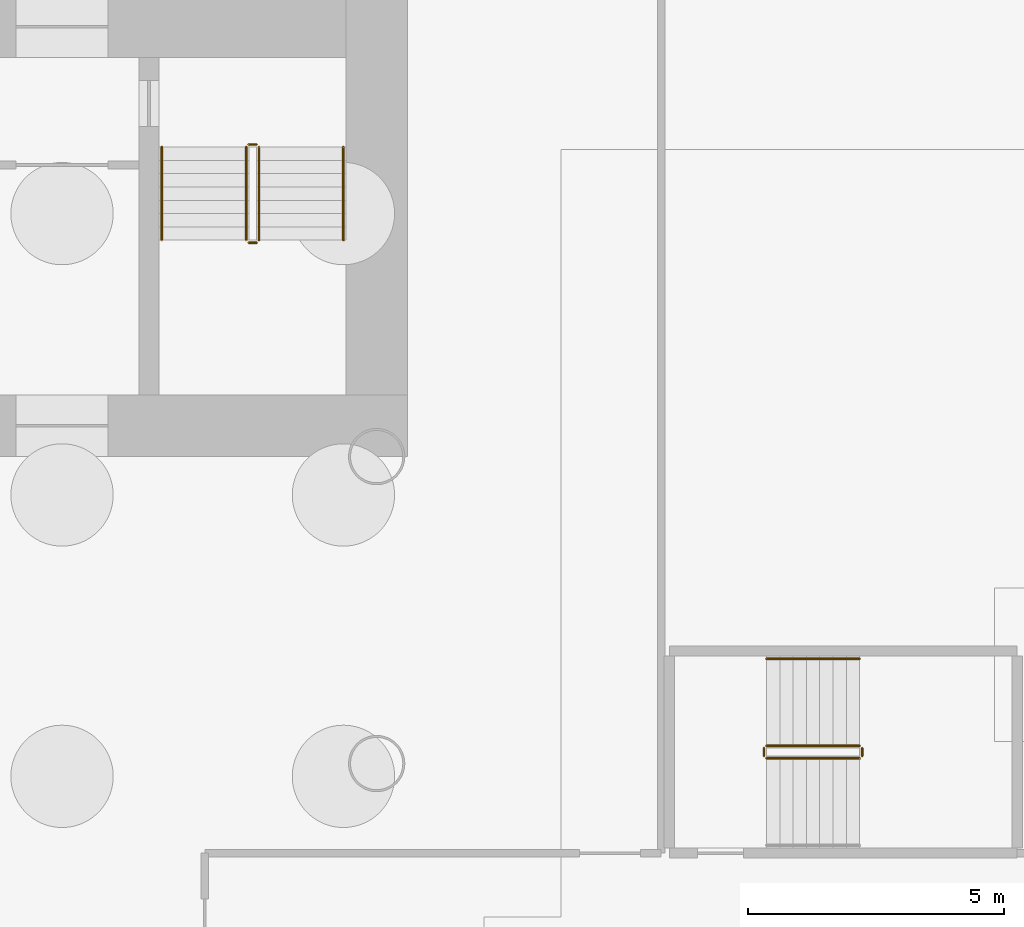
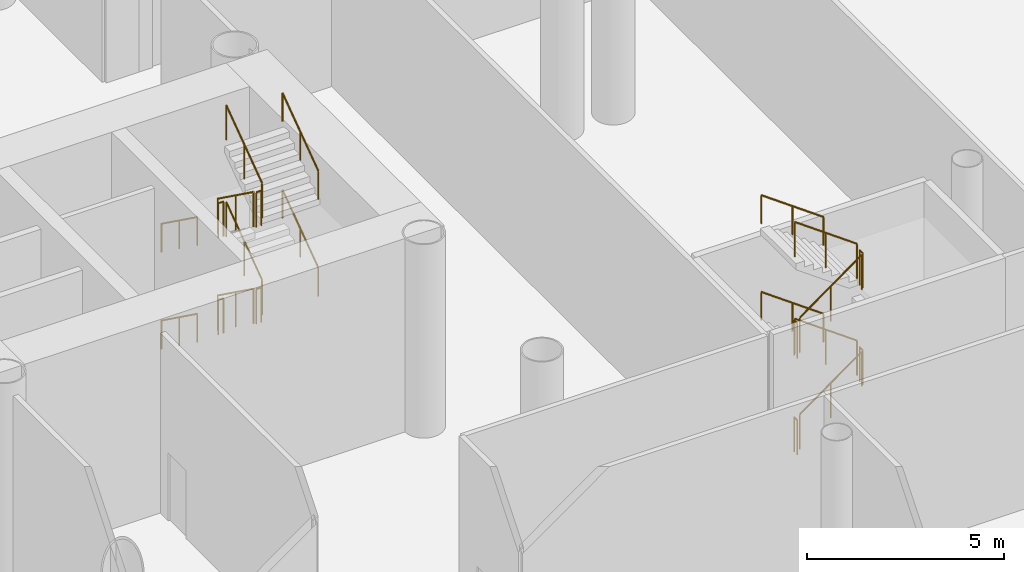
# One storey, part 69 of 75: 22 railings.
"""IFC4 building model written with IfcOpenShell, lengths in metres."""

from ifc_helpers import new_model, si_unit, direction, frame, origin, origin_2d, place, context, subcontext, project, spatial, circle, extrude, material, type_object, element, save


model = new_model("IFC4")

# Units and contexts
model_context = context("Model", 3, precision=1e-05, world=origin(), true_north=direction((0.0, 1.0)))
body_context = subcontext(model_context, "Body", "Model", "MODEL_VIEW")
ifc_project = project(units=[si_unit("LENGTHUNIT", "METRE"), si_unit("AREAUNIT", "SQUARE_METRE"), si_unit("VOLUMEUNIT", "CUBIC_METRE"), si_unit("PLANEANGLEUNIT", "RADIAN"), si_unit("MASSUNIT", "GRAM", prefix="KILO")], contexts=[model_context])

# Site, building, storey
site_placement = place(None, origin())
site = spatial("IfcSite", under=ifc_project, at=site_placement, CompositionType="ELEMENT")
building_placement = place(site_placement, origin())
building = spatial("IfcBuilding", under=site, at=building_placement, Name="Ipe Terrace Towers", CompositionType="ELEMENT")
storey_placement = place(building_placement, origin())
storey = spatial("IfcBuildingStorey", under=building, at=storey_placement, Name="L00", CompositionType="ELEMENT", Elevation=0.0)

# Railings
ifc_material_1 = material(Name="Steel S355", Category="steel")
railing_type_1 = type_object("IfcRailingType", Name="Stair guard 1100", PredefinedType="GUARDRAIL", material=ifc_material_1)
railing_1_placement = place(storey_placement, frame((39.60009765625, -9.699951171875, 0.1875)))
element("IfcRailing", 1, at=railing_1_placement, inside=storey, type_object=railing_type_1, Name="L00 T2-ST2 stair guard 1", PredefinedType="GUARDRAIL", context=body_context, shape_type="SweptSolid", body=[
    extrude(circle(Radius=0.02392578125, at=origin_2d()), frame((0.0, 0.0, 1.076171875), z_axis=(0.0, -0.811100754333, 0.584906459462), x_axis=(1.0, 0.0, 0.0)), (0.0, 0.0, 1.0), 2.243896484375),
    extrude(circle(Radius=0.02099609375, at=origin_2d()), origin(), (0.0, 0.0, 1.0), 1.052001953125),
    extrude(circle(Radius=0.02099609375, at=origin_2d()), frame((0.0, -0.91015625, 0.65625)), (0.0, 0.0, 1.0), 1.052001953125),
    extrude(circle(Radius=0.02099609375, at=origin_2d()), frame((0.0, -1.820068359375, 1.3125)), (0.0, 0.0, 1.0), 1.052001953125),
])
railing_2_placement = place(storey_placement, frame((39.64990234375, -11.570068359375, 1.5)))
element("IfcRailing", 2, at=railing_2_placement, inside=storey, type_object=railing_type_1, Name="L00 T2-ST2 stair guard 2", PredefinedType="GUARDRAIL", context=body_context, shape_type="SweptSolid", body=[
    extrude(circle(Radius=0.02392578125, at=origin_2d()), frame((0.0, 0.0, 1.076171875), z_axis=(1.0, 0.0, 0.0), x_axis=(0.0, 1.0, 0.0)), (0.0, 0.0, 1.0), 0.150146484375),
    extrude(circle(Radius=0.02099609375, at=origin_2d()), origin(), (0.0, 0.0, 1.0), 1.052001953125),
    extrude(circle(Radius=0.02099609375, at=origin_2d()), frame((0.150146484375, 0.0, 0.0)), (0.0, 0.0, 1.0), 1.052001953125),
])
railing_3_placement = place(storey_placement, frame((39.85009765625, -11.52001953125, 1.6875)))
element("IfcRailing", 3, at=railing_3_placement, inside=storey, type_object=railing_type_1, Name="L00 T2-ST2 stair guard 3", PredefinedType="GUARDRAIL", context=body_context, shape_type="SweptSolid", body=[
    extrude(circle(Radius=0.02392578125, at=origin_2d()), frame((0.0, 0.0, 1.076171875), z_axis=(0.0, 0.811100754333, 0.584906459462), x_axis=(-1.0, 0.0, 0.0)), (0.0, 0.0, 1.0), 2.243896484375),
    extrude(circle(Radius=0.02099609375, at=origin_2d()), origin(), (0.0, 0.0, 1.0), 1.052001953125),
    extrude(circle(Radius=0.02099609375, at=origin_2d()), frame((0.0, 0.91015625, 0.65625)), (0.0, 0.0, 1.0), 1.052001953125),
    extrude(circle(Radius=0.02099609375, at=origin_2d()), frame((0.0, 1.820068359375, 1.3125)), (0.0, 0.0, 1.0), 1.052001953125),
])
railing_4_placement = place(storey_placement, frame((39.64990234375, -9.64990234375, 3.0)))
element("IfcRailing", 4, at=railing_4_placement, inside=storey, type_object=railing_type_1, Name="L00 T2-ST2 stair guard 4", PredefinedType="GUARDRAIL", context=body_context, shape_type="SweptSolid", body=[
    extrude(circle(Radius=0.02392578125, at=origin_2d()), frame((0.0, 0.0, 1.076171875), z_axis=(1.0, 0.0, 0.0), x_axis=(0.0, 1.0, 0.0)), (0.0, 0.0, 1.0), 0.150146484375),
    extrude(circle(Radius=0.02099609375, at=origin_2d()), origin(), (0.0, 0.0, 1.0), 1.052001953125),
    extrude(circle(Radius=0.02099609375, at=origin_2d()), frame((0.150146484375, 0.0, 0.0)), (0.0, 0.0, 1.0), 1.052001953125),
])
railing_5_placement = place(storey_placement, frame((39.60009765625, -9.699951171875, 3.1875)))
element("IfcRailing", 5, at=railing_5_placement, inside=storey, type_object=railing_type_1, Name="L00 T2-ST2 stair guard 5", PredefinedType="GUARDRAIL", context=body_context, shape_type="SweptSolid", body=[
    extrude(circle(Radius=0.02392578125, at=origin_2d()), frame((0.0, 0.0, 1.076171875), z_axis=(0.0, -0.811100754333, 0.584906459462), x_axis=(1.0, 0.0, 0.0)), (0.0, 0.0, 1.0), 2.243896484375),
    extrude(circle(Radius=0.02099609375, at=origin_2d()), origin(), (0.0, 0.0, 1.0), 1.052001953125),
    extrude(circle(Radius=0.02099609375, at=origin_2d()), frame((0.0, -0.91015625, 0.65625)), (0.0, 0.0, 1.0), 1.052001953125),
    extrude(circle(Radius=0.02099609375, at=origin_2d()), frame((0.0, -1.820068359375, 1.3125)), (0.0, 0.0, 1.0), 1.052001953125),
])
railing_6_placement = place(storey_placement, frame((39.64990234375, -11.570068359375, 4.5)))
element("IfcRailing", 6, at=railing_6_placement, inside=storey, type_object=railing_type_1, Name="L00 T2-ST2 stair guard 6", PredefinedType="GUARDRAIL", context=body_context, shape_type="SweptSolid", body=[
    extrude(circle(Radius=0.02392578125, at=origin_2d()), frame((0.0, 0.0, 1.076171875), z_axis=(1.0, 0.0, 0.0), x_axis=(0.0, 1.0, 0.0)), (0.0, 0.0, 1.0), 0.150146484375),
    extrude(circle(Radius=0.02099609375, at=origin_2d()), origin(), (0.0, 0.0, 1.0), 1.052001953125),
    extrude(circle(Radius=0.02099609375, at=origin_2d()), frame((0.150146484375, 0.0, 0.0)), (0.0, 0.0, 1.0), 1.052001953125),
])
railing_7_placement = place(storey_placement, frame((39.85009765625, -11.52001953125, 4.6875)))
element("IfcRailing", 7, at=railing_7_placement, inside=storey, type_object=railing_type_1, Name="L00 T2-ST2 stair guard 7", PredefinedType="GUARDRAIL", context=body_context, shape_type="SweptSolid", body=[
    extrude(circle(Radius=0.02392578125, at=origin_2d()), frame((0.0, 0.0, 1.076171875), z_axis=(0.0, 0.811100754333, 0.584906459462), x_axis=(-1.0, 0.0, 0.0)), (0.0, 0.0, 1.0), 2.243896484375),
    extrude(circle(Radius=0.02099609375, at=origin_2d()), origin(), (0.0, 0.0, 1.0), 1.052001953125),
    extrude(circle(Radius=0.02099609375, at=origin_2d()), frame((0.0, 0.91015625, 0.65625)), (0.0, 0.0, 1.0), 1.052001953125),
    extrude(circle(Radius=0.02099609375, at=origin_2d()), frame((0.0, 1.820068359375, 1.3125)), (0.0, 0.0, 1.0), 1.052001953125),
])
railing_8_placement = place(storey_placement, frame((39.64990234375, -9.64990234375, 0.0)))
element("IfcRailing", 8, at=railing_8_placement, inside=storey, type_object=railing_type_1, Name="L00 T2-ST2 stair guard 8", PredefinedType="GUARDRAIL", context=body_context, shape_type="SweptSolid", body=[
    extrude(circle(Radius=0.02392578125, at=origin_2d()), frame((0.0, 0.0, 1.076171875), z_axis=(1.0, 0.0, 0.0), x_axis=(0.0, 1.0, 0.0)), (0.0, 0.0, 1.0), 0.150146484375),
    extrude(circle(Radius=0.02099609375, at=origin_2d()), origin(), (0.0, 0.0, 1.0), 1.052001953125),
    extrude(circle(Radius=0.02099609375, at=origin_2d()), frame((0.150146484375, 0.0, 0.0)), (0.0, 0.0, 1.0), 1.052001953125),
])
railing_9_placement = place(storey_placement, frame((49.77001953125, -21.64990234375, 0.1875)))
element("IfcRailing", 9, at=railing_9_placement, inside=storey, type_object=railing_type_1, Name="L00 PS6 stair guard 1", PredefinedType="GUARDRAIL", context=body_context, shape_type="SweptSolid", body=[
    extrude(circle(Radius=0.02392578125, at=origin_2d()), frame((0.0, 0.0, 1.076171875), z_axis=(0.811100754333, 0.0, 0.584906459462), x_axis=(0.0, 1.0, 0.0)), (0.0, 0.0, 1.0), 2.243896484375),
    extrude(circle(Radius=0.02099609375, at=origin_2d()), origin(), (0.0, 0.0, 1.0), 1.052001953125),
    extrude(circle(Radius=0.02099609375, at=origin_2d()), frame((0.91015625, 0.0, 0.65625)), (0.0, 0.0, 1.0), 1.052001953125),
    extrude(circle(Radius=0.02099609375, at=origin_2d()), frame((1.820068359375, 0.0, 1.3125)), (0.0, 0.0, 1.0), 1.052001953125),
])
railing_10_placement = place(storey_placement, frame((51.639892578125, -21.60009765625, 1.5)))
element("IfcRailing", 10, at=railing_10_placement, inside=storey, type_object=railing_type_1, Name="L00 PS6 stair guard 2", PredefinedType="GUARDRAIL", context=body_context, shape_type="SweptSolid", body=[
    extrude(circle(Radius=0.02392578125, at=origin_2d()), frame((0.0, 0.0, 1.076171875), z_axis=(0.0, 1.0, 0.0), x_axis=(-1.0, 0.0, 0.0)), (0.0, 0.0, 1.0), 0.150146484375),
    extrude(circle(Radius=0.02099609375, at=origin_2d()), origin(), (0.0, 0.0, 1.0), 1.052001953125),
    extrude(circle(Radius=0.02099609375, at=origin_2d()), frame((0.0, 0.150146484375, 0.0)), (0.0, 0.0, 1.0), 1.052001953125),
])
railing_11_placement = place(storey_placement, frame((51.590087890625, -21.39990234375, 1.6875)))
element("IfcRailing", 11, at=railing_11_placement, inside=storey, type_object=railing_type_1, Name="L00 PS6 stair guard 3", PredefinedType="GUARDRAIL", context=body_context, shape_type="SweptSolid", body=[
    extrude(circle(Radius=0.02392578125, at=origin_2d()), frame((0.0, 0.0, 1.076171875), z_axis=(-0.811100754333, 0.0, 0.584906459462), x_axis=(0.0, -1.0, 0.0)), (0.0, 0.0, 1.0), 2.243896484375),
    extrude(circle(Radius=0.02099609375, at=origin_2d()), origin(), (0.0, 0.0, 1.0), 1.052001953125),
    extrude(circle(Radius=0.02099609375, at=origin_2d()), frame((-0.91015625, 0.0, 0.65625)), (0.0, 0.0, 1.0), 1.052001953125),
    extrude(circle(Radius=0.02099609375, at=origin_2d()), frame((-1.820068359375, 0.0, 1.3125)), (0.0, 0.0, 1.0), 1.052001953125),
])
railing_12_placement = place(storey_placement, frame((49.719970703125, -21.60009765625, 3.0)))
element("IfcRailing", 12, at=railing_12_placement, inside=storey, type_object=railing_type_1, Name="L00 PS6 stair guard 4", PredefinedType="GUARDRAIL", context=body_context, shape_type="SweptSolid", body=[
    extrude(circle(Radius=0.02392578125, at=origin_2d()), frame((0.0, 0.0, 1.076171875), z_axis=(0.0, 1.0, 0.0), x_axis=(-1.0, 0.0, 0.0)), (0.0, 0.0, 1.0), 0.150146484375),
    extrude(circle(Radius=0.02099609375, at=origin_2d()), origin(), (0.0, 0.0, 1.0), 1.052001953125),
    extrude(circle(Radius=0.02099609375, at=origin_2d()), frame((0.0, 0.150146484375, 0.0)), (0.0, 0.0, 1.0), 1.052001953125),
])
railing_13_placement = place(storey_placement, frame((49.77001953125, -21.64990234375, 3.1875)))
element("IfcRailing", 13, at=railing_13_placement, inside=storey, type_object=railing_type_1, Name="L00 PS6 stair guard 5", PredefinedType="GUARDRAIL", context=body_context, shape_type="SweptSolid", body=[
    extrude(circle(Radius=0.02392578125, at=origin_2d()), frame((0.0, 0.0, 1.076171875), z_axis=(0.811100754333, 0.0, 0.584906459462), x_axis=(0.0, 1.0, 0.0)), (0.0, 0.0, 1.0), 2.243896484375),
    extrude(circle(Radius=0.02099609375, at=origin_2d()), origin(), (0.0, 0.0, 1.0), 1.052001953125),
    extrude(circle(Radius=0.02099609375, at=origin_2d()), frame((0.91015625, 0.0, 0.65625)), (0.0, 0.0, 1.0), 1.052001953125),
    extrude(circle(Radius=0.02099609375, at=origin_2d()), frame((1.820068359375, 0.0, 1.3125)), (0.0, 0.0, 1.0), 1.052001953125),
])
railing_14_placement = place(storey_placement, frame((51.639892578125, -21.60009765625, 4.5)))
element("IfcRailing", 14, at=railing_14_placement, inside=storey, type_object=railing_type_1, Name="L00 PS6 stair guard 6", PredefinedType="GUARDRAIL", context=body_context, shape_type="SweptSolid", body=[
    extrude(circle(Radius=0.02392578125, at=origin_2d()), frame((0.0, 0.0, 1.076171875), z_axis=(0.0, 1.0, 0.0), x_axis=(-1.0, 0.0, 0.0)), (0.0, 0.0, 1.0), 0.150146484375),
    extrude(circle(Radius=0.02099609375, at=origin_2d()), origin(), (0.0, 0.0, 1.0), 1.052001953125),
    extrude(circle(Radius=0.02099609375, at=origin_2d()), frame((0.0, 0.150146484375, 0.0)), (0.0, 0.0, 1.0), 1.052001953125),
])
railing_15_placement = place(storey_placement, frame((51.590087890625, -21.39990234375, 4.6875)))
element("IfcRailing", 15, at=railing_15_placement, inside=storey, type_object=railing_type_1, Name="L00 PS6 stair guard 7", PredefinedType="GUARDRAIL", context=body_context, shape_type="SweptSolid", body=[
    extrude(circle(Radius=0.02392578125, at=origin_2d()), frame((0.0, 0.0, 1.076171875), z_axis=(-0.811100754333, 0.0, 0.584906459462), x_axis=(0.0, -1.0, 0.0)), (0.0, 0.0, 1.0), 2.243896484375),
    extrude(circle(Radius=0.02099609375, at=origin_2d()), origin(), (0.0, 0.0, 1.0), 1.052001953125),
    extrude(circle(Radius=0.02099609375, at=origin_2d()), frame((-0.91015625, 0.0, 0.65625)), (0.0, 0.0, 1.0), 1.052001953125),
    extrude(circle(Radius=0.02099609375, at=origin_2d()), frame((-1.820068359375, 0.0, 1.3125)), (0.0, 0.0, 1.0), 1.052001953125),
])
railing_16_placement = place(storey_placement, frame((49.719970703125, -21.60009765625, 0.0)))
element("IfcRailing", 16, at=railing_16_placement, inside=storey, type_object=railing_type_1, Name="L00 PS6 stair guard 8", PredefinedType="GUARDRAIL", context=body_context, shape_type="SweptSolid", body=[
    extrude(circle(Radius=0.02392578125, at=origin_2d()), frame((0.0, 0.0, 1.076171875), z_axis=(0.0, 1.0, 0.0), x_axis=(-1.0, 0.0, 0.0)), (0.0, 0.0, 1.0), 0.150146484375),
    extrude(circle(Radius=0.02099609375, at=origin_2d()), origin(), (0.0, 0.0, 1.0), 1.052001953125),
    extrude(circle(Radius=0.02099609375, at=origin_2d()), frame((0.0, 0.150146484375, 0.0)), (0.0, 0.0, 1.0), 1.052001953125),
])
ifc_material_2 = material(Name="Stainless steel grade 304", Category="steel")
railing_type_2 = type_object("IfcRailingType", Name="Stair handrail 900", PredefinedType="HANDRAIL", material=ifc_material_2)
railing_17_placement = place(storey_placement, frame((37.949951171875, -9.699951171875, 0.1875)))
element("IfcRailing", 17, at=railing_17_placement, inside=storey, type_object=railing_type_2, Name="L00 T2-ST2 stair handrail 1", PredefinedType="HANDRAIL", context=body_context, shape_type="SweptSolid", body=[
    extrude(circle(Radius=0.02392578125, at=origin_2d()), frame((0.0, 0.0, 0.8759765625), z_axis=(0.0, -0.811100754333, 0.584906459462), x_axis=(1.0, 0.0, 0.0)), (0.0, 0.0, 1.0), 2.243896484375),
    extrude(circle(Radius=0.02099609375, at=origin_2d()), origin(), (0.0, 0.0, 1.0), 0.851806640625),
    extrude(circle(Radius=0.02099609375, at=origin_2d()), frame((0.0, -0.91015625, 0.65625)), (0.0, 0.0, 1.0), 0.851806640625),
    extrude(circle(Radius=0.02099609375, at=origin_2d()), frame((0.0, -1.820068359375, 1.3125)), (0.0, 0.0, 1.0), 0.851806640625),
])
railing_18_placement = place(storey_placement, frame((41.5, -11.52001953125, 1.6875)))
element("IfcRailing", 18, at=railing_18_placement, inside=storey, type_object=railing_type_2, Name="L00 T2-ST2 stair handrail 2", PredefinedType="HANDRAIL", context=body_context, shape_type="SweptSolid", body=[
    extrude(circle(Radius=0.02392578125, at=origin_2d()), frame((0.0, 0.0, 0.8759765625), z_axis=(0.0, 0.811100754333, 0.584906459462), x_axis=(-1.0, 0.0, 0.0)), (0.0, 0.0, 1.0), 2.243896484375),
    extrude(circle(Radius=0.02099609375, at=origin_2d()), origin(), (0.0, 0.0, 1.0), 0.851806640625),
    extrude(circle(Radius=0.02099609375, at=origin_2d()), frame((0.0, 0.91015625, 0.65625)), (0.0, 0.0, 1.0), 0.851806640625),
    extrude(circle(Radius=0.02099609375, at=origin_2d()), frame((0.0, 1.820068359375, 1.3125)), (0.0, 0.0, 1.0), 0.851806640625),
])
railing_19_placement = place(storey_placement, frame((37.949951171875, -9.699951171875, 3.1875)))
element("IfcRailing", 19, at=railing_19_placement, inside=storey, type_object=railing_type_2, Name="L00 T2-ST2 stair handrail 3", PredefinedType="HANDRAIL", context=body_context, shape_type="SweptSolid", body=[
    extrude(circle(Radius=0.02392578125, at=origin_2d()), frame((0.0, 0.0, 0.8759765625), z_axis=(0.0, -0.811100754333, 0.584906459462), x_axis=(1.0, 0.0, 0.0)), (0.0, 0.0, 1.0), 2.243896484375),
    extrude(circle(Radius=0.02099609375, at=origin_2d()), origin(), (0.0, 0.0, 1.0), 0.851806640625),
    extrude(circle(Radius=0.02099609375, at=origin_2d()), frame((0.0, -0.91015625, 0.65625)), (0.0, 0.0, 1.0), 0.851806640625),
    extrude(circle(Radius=0.02099609375, at=origin_2d()), frame((0.0, -1.820068359375, 1.3125)), (0.0, 0.0, 1.0), 0.851806640625),
])
railing_20_placement = place(storey_placement, frame((41.5, -11.52001953125, 4.6875)))
element("IfcRailing", 20, at=railing_20_placement, inside=storey, type_object=railing_type_2, Name="L00 T2-ST2 stair handrail 4", PredefinedType="HANDRAIL", context=body_context, shape_type="SweptSolid", body=[
    extrude(circle(Radius=0.02392578125, at=origin_2d()), frame((0.0, 0.0, 0.8759765625), z_axis=(0.0, 0.811100754333, 0.584906459462), x_axis=(-1.0, 0.0, 0.0)), (0.0, 0.0, 1.0), 2.243896484375),
    extrude(circle(Radius=0.02099609375, at=origin_2d()), origin(), (0.0, 0.0, 1.0), 0.851806640625),
    extrude(circle(Radius=0.02099609375, at=origin_2d()), frame((0.0, 0.91015625, 0.65625)), (0.0, 0.0, 1.0), 0.851806640625),
    extrude(circle(Radius=0.02099609375, at=origin_2d()), frame((0.0, 1.820068359375, 1.3125)), (0.0, 0.0, 1.0), 0.851806640625),
])
for number, where, name in (
    (21, (51.590087890625, -19.699951171875, 1.6875), "L00 PS6 stair handrail 2"),
    (22, (51.590087890625, -19.699951171875, 4.6875), "L00 PS6 stair handrail 4"),
):
    element("IfcRailing", number, at=place(storey_placement, frame(where)), inside=storey, type_object=railing_type_2, Name=name, PredefinedType="HANDRAIL", context=body_context, shape_type="SweptSolid", body=[
        extrude(circle(Radius=0.02392578125, at=origin_2d()), frame((0.0, 0.0, 0.8759765625), z_axis=(-0.811100754333, 0.0, 0.584906459462), x_axis=(0.0, -1.0, 0.0)), (0.0, 0.0, 1.0), 2.243896484375),
        extrude(circle(Radius=0.02099609375, at=origin_2d()), origin(), (0.0, 0.0, 1.0), 0.851806640625),
        extrude(circle(Radius=0.02099609375, at=origin_2d()), frame((-0.91015625, 0.0, 0.65625)), (0.0, 0.0, 1.0), 0.851806640625),
        extrude(circle(Radius=0.02099609375, at=origin_2d()), frame((-1.820068359375, 0.0, 1.3125)), (0.0, 0.0, 1.0), 0.851806640625),
    ])

save(model, "model.ifc")
